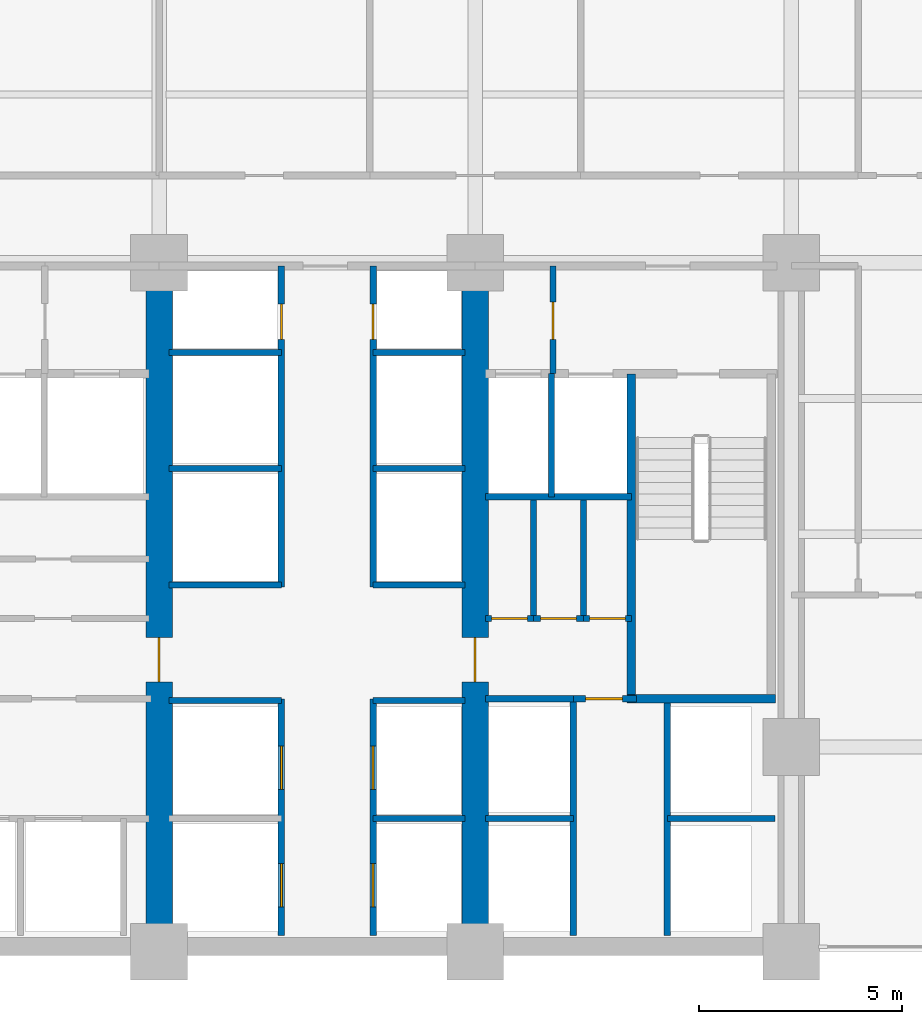
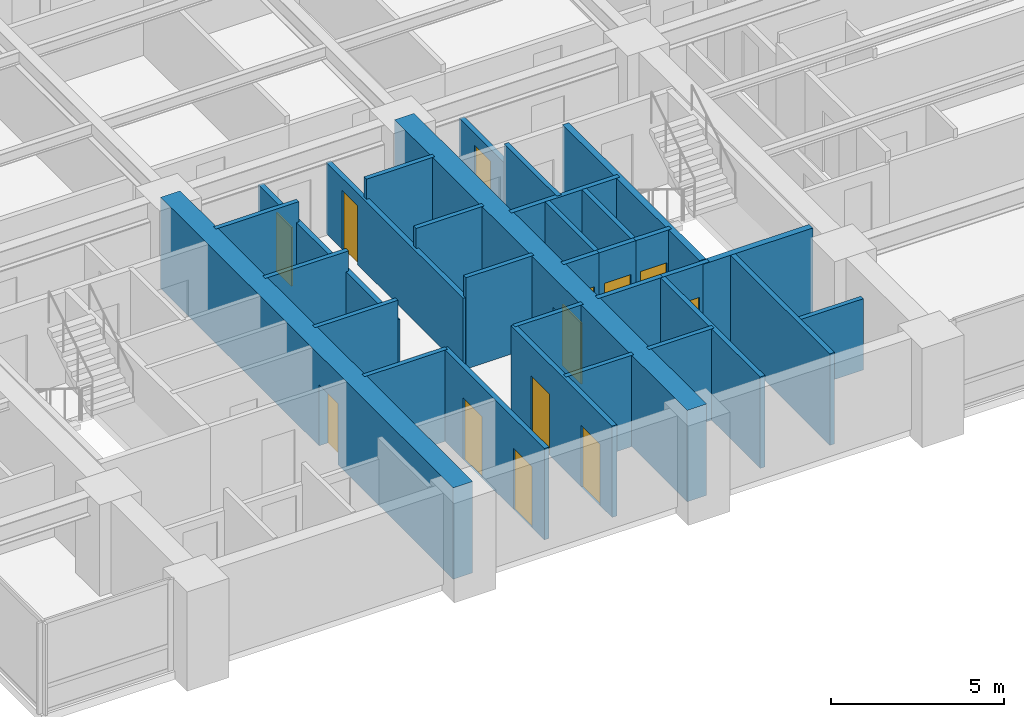
# One storey, part 8 of 18: 31 walls, 13 doors, 13 openings.
"""IFC4 building model written with IfcOpenShell, lengths in metres."""

from ifc_helpers import new_model, si_unit, direction, frame, frame_2d, origin, place, context, subcontext, project, spatial, rectangle, extrude, material, layer, layer_set, type_object, element, fill, save


model = new_model("IFC4")

# Units and contexts
model_context = context("Model", 3, precision=1e-05, world=origin(), true_north=direction((0.0, 1.0)))
body_context = subcontext(model_context, "Body", "Model", "MODEL_VIEW")
ifc_project = project(units=[si_unit("LENGTHUNIT", "METRE"), si_unit("AREAUNIT", "SQUARE_METRE"), si_unit("VOLUMEUNIT", "CUBIC_METRE"), si_unit("PLANEANGLEUNIT", "RADIAN"), si_unit("MASSUNIT", "GRAM", prefix="KILO")], contexts=[model_context])

# Site, building, storey
site_placement = place(None, origin())
site = spatial("IfcSite", under=ifc_project, at=site_placement, CompositionType="ELEMENT")
building_placement = place(site_placement, origin())
building = spatial("IfcBuilding", under=site, at=building_placement, Name="Qalmaran Belvedere Hotel", CompositionType="ELEMENT")
storey_placement = place(building_placement, frame((0.0, 0.0, 54.39990234375)))
storey = spatial("IfcBuildingStorey", under=building, at=storey_placement, Name="L13", CompositionType="ELEMENT", Elevation=54.39990234375)

# Wall, opening, door
ifc_material_1 = material(Name="Concrete C60/75", Category="concrete")
ifc_layer_1 = layer(ifc_material_1, 0.64990234375, Name="Concrete C60/75")
ifc_layer_set_1 = layer_set([ifc_layer_1], Name="Concrete C60/75")
wall_type_1 = type_object("IfcWallType", Name="WL-CORE-650-C60", PredefinedType="SHEAR", material=ifc_layer_set_1)
wall_1_placement = place(storey_placement, frame((29.199951171875, 3.5, 0.0), z_axis=(0.0, 0.0, 1.0), x_axis=(0.0, 1.0, 0.0)))
wall_1 = element("IfcWall", 1, at=wall_1_placement, inside=storey, type_object=wall_type_1, Name="L13 Core West Spine Shear Wall", PredefinedType="SHEAR", context=body_context, shape_type="SweptSolid", body=[
    extrude(rectangle(XDim=16.89990234375, YDim=0.64990234375, at=frame_2d((8.449951171875, 0.0))), origin(), (0.0, 0.0, 1.0), 3.22021484375),
])
opening_1_placement = place(wall_1_placement, frame((7.75, 0.0, 0.0), z_axis=(0.0, 0.0, 1.0), x_axis=(-1.0, 0.0, 0.0)))
opening_1 = element("IfcOpeningElement", 2, at=opening_1_placement, cuts=wall_1, Name="Opening FD90", PredefinedType="OPENING", context=body_context, shape_type="SweptSolid", body=[
    extrude(rectangle(XDim=1.10009765625, YDim=2.14990234375, at=frame_2d((0.550048828125, 1.074951171875))), frame((0.0, 0.3349609375, 0.0), z_axis=(0.0, -1.0, 0.0), x_axis=(1.0, 0.0, 0.0)), (0.0, 0.0, 1.0), 0.669921875),
])
ifc_material_2 = material(Name="Steel S355JR", Category="steel")
door_type_1 = type_object("IfcDoorType", Name="DR-FD90-1100X2150", OperationType="NOTDEFINED", PredefinedType="DOOR", material=ifc_material_2)
door_1_placement = place(opening_1_placement, origin())
door_1 = element("IfcDoor", 3, at=door_1_placement, inside=storey, type_object=door_type_1, Name="L13 Core West Cross-Lobby Door", OperationType="SINGLE_SWING_LEFT", OverallHeight=2.14990234375, OverallWidth=1.10009765625, PredefinedType="DOOR", context=body_context, shape_type="SweptSolid", body=[
    extrude(rectangle(XDim=1.10009765625, YDim=2.14990234375, at=frame_2d((0.550048828125, 1.074951171875))), frame((0.0, 0.02490234375, 0.0), z_axis=(0.0, -1.0, 0.0), x_axis=(1.0, 0.0, 0.0)), (0.0, 0.0, 1.0), 0.050048828125),
])
fill(opening_1, door_1)

wall_2_placement = place(storey_placement, frame((37.0, 3.5, 0.0), z_axis=(0.0, 0.0, 1.0), x_axis=(0.0, 1.0, 0.0)))
wall_2 = element("IfcWall", 4, at=wall_2_placement, inside=storey, type_object=wall_type_1, Name="L13 Core East Spine Shear Wall", PredefinedType="SHEAR", context=body_context, shape_type="SweptSolid", body=[
    extrude(rectangle(XDim=16.89990234375, YDim=0.64990234375, at=frame_2d((8.449951171875, 0.0))), origin(), (0.0, 0.0, 1.0), 3.22021484375),
])
opening_2_placement = place(wall_2_placement, frame((6.64990234375, 0.0, 0.0)))
opening_2 = element("IfcOpeningElement", 5, at=opening_2_placement, cuts=wall_2, Name="Opening FD90", PredefinedType="OPENING", context=body_context, shape_type="SweptSolid", body=[
    extrude(rectangle(XDim=1.10009765625, YDim=2.14990234375, at=frame_2d((0.550048828125, 1.074951171875))), frame((0.0, 0.3349609375, 0.0), z_axis=(0.0, -1.0, 0.0), x_axis=(1.0, 0.0, 0.0)), (0.0, 0.0, 1.0), 0.669921875),
])
door_2_placement = place(opening_2_placement, origin())
door_2 = element("IfcDoor", 6, at=door_2_placement, inside=storey, type_object=door_type_1, Name="L13 Core East Cross-Lobby Door", OperationType="SINGLE_SWING_RIGHT", OverallHeight=2.14990234375, OverallWidth=1.10009765625, PredefinedType="DOOR", context=body_context, shape_type="SweptSolid", body=[
    extrude(rectangle(XDim=1.10009765625, YDim=2.14990234375, at=frame_2d((0.550048828125, 1.074951171875))), frame((0.0, 0.02490234375, 0.0), z_axis=(0.0, -1.0, 0.0), x_axis=(1.0, 0.0, 0.0)), (0.0, 0.0, 1.0), 0.050048828125),
])
fill(opening_2, door_2)

# Walls
ifc_material_3 = material(Name="Gypsum Stud Partition")
ifc_layer_2 = layer(ifc_material_3, 0.14990234375, Name="Gypsum Stud Partition")
ifc_layer_set_2 = layer_set([ifc_layer_2], Name="Gypsum Stud Partition")
wall_type_2 = type_object("IfcWallType", Name="WL-INT-150-EI120", PredefinedType="PARTITIONING", material=ifc_layer_set_2)
wall_3_placement = place(storey_placement, frame((38.8798828125, 14.719970703125, 0.0), z_axis=(0.0, 0.0, 1.0), x_axis=(0.0, 1.0, 0.0)))
element("IfcWall", 7, at=wall_3_placement, inside=storey, type_object=wall_type_2, Name="L13 Partition WL-FF2M-L13", PredefinedType="PARTITIONING", context=body_context, shape_type="SweptSolid", body=[
    extrude(rectangle(XDim=3.0400390625, YDim=0.14990234375, at=frame_2d((1.52001953125, 0.0))), origin(), (0.0, 0.0, 1.0), 3.22021484375),
])
wall_4_placement = place(storey_placement, frame((37.25, 6.780029296875, 0.0), z_axis=(0.0, 0.0, 1.0), x_axis=(1.0, 0.0, 0.0)))
element("IfcWall", 8, at=wall_4_placement, inside=storey, type_object=wall_type_2, Name="L13 Partition WL-PHMW-L13", PredefinedType="PARTITIONING", context=body_context, shape_type="SweptSolid", body=[
    extrude(rectangle(XDim=2.169921875, YDim=0.14990234375, at=frame_2d((1.0849609375, 0.0))), origin(), (0.0, 0.0, 1.0), 3.22021484375),
])
wall_5_placement = place(storey_placement, frame((41.739990234375, 6.780029296875, 0.0), z_axis=(0.0, 0.0, 1.0), x_axis=(1.0, 0.0, 0.0)))
element("IfcWall", 9, at=wall_5_placement, inside=storey, type_object=wall_type_2, Name="L13 Partition WL-PHME-L13", PredefinedType="PARTITIONING", context=body_context, shape_type="SweptSolid", body=[
    extrude(rectangle(XDim=2.659912109375, YDim=0.14990234375, at=frame_2d((1.330078125, 0.0))), origin(), (0.0, 0.0, 1.0), 2.510009765625),
])
wall_6_placement = place(storey_placement, frame((34.47998046875, 6.780029296875, 0.0), z_axis=(0.0, 0.0, 1.0), x_axis=(1.0, 0.0, 0.0)))
element("IfcWall", 10, at=wall_6_placement, inside=storey, type_object=wall_type_2, Name="L13 Partition WL-PLE-L13-67", PredefinedType="PARTITIONING", context=body_context, shape_type="SweptSolid", body=[
    extrude(rectangle(XDim=2.27001953125, YDim=0.14990234375, at=frame_2d((1.135009765625, 0.0))), origin(), (0.0, 0.0, 1.0), 3.22021484375),
])
wall_7_placement = place(storey_placement, frame((29.449951171875, 9.699951171875, 0.0), z_axis=(0.0, 0.0, 1.0), x_axis=(1.0, 0.0, 0.0)))
element("IfcWall", 11, at=wall_7_placement, inside=storey, type_object=wall_type_2, Name="L13 Partition WL-PLW-L13-97", PredefinedType="PARTITIONING", context=body_context, shape_type="SweptSolid", body=[
    extrude(rectangle(XDim=2.77001953125, YDim=0.14990234375, at=frame_2d((1.385009765625, 0.0))), origin(), (0.0, 0.0, 1.0), 3.22021484375),
])
wall_8_placement = place(storey_placement, frame((34.47998046875, 9.699951171875, 0.0), z_axis=(0.0, 0.0, 1.0), x_axis=(1.0, 0.0, 0.0)))
element("IfcWall", 12, at=wall_8_placement, inside=storey, type_object=wall_type_2, Name="L13 Partition WL-PLE-L13-97", PredefinedType="PARTITIONING", context=body_context, shape_type="SweptSolid", body=[
    extrude(rectangle(XDim=2.27001953125, YDim=0.14990234375, at=frame_2d((1.135009765625, 0.0))), origin(), (0.0, 0.0, 1.0), 3.22021484375),
])
wall_9_placement = place(storey_placement, frame((29.449951171875, 12.550048828125, 0.0), z_axis=(0.0, 0.0, 1.0), x_axis=(1.0, 0.0, 0.0)))
element("IfcWall", 13, at=wall_9_placement, inside=storey, type_object=wall_type_2, Name="L13 Partition WL-PMW-L13-125", PredefinedType="PARTITIONING", context=body_context, shape_type="SweptSolid", body=[
    extrude(rectangle(XDim=2.77001953125, YDim=0.14990234375, at=frame_2d((1.385009765625, 0.0))), origin(), (0.0, 0.0, 1.0), 3.22021484375),
])
wall_10_placement = place(storey_placement, frame((34.47998046875, 12.550048828125, 0.0), z_axis=(0.0, 0.0, 1.0), x_axis=(1.0, 0.0, 0.0)))
element("IfcWall", 14, at=wall_10_placement, inside=storey, type_object=wall_type_2, Name="L13 Partition WL-PME-L13-125", PredefinedType="PARTITIONING", context=body_context, shape_type="SweptSolid", body=[
    extrude(rectangle(XDim=2.27001953125, YDim=0.14990234375, at=frame_2d((1.135009765625, 0.0))), origin(), (0.0, 0.0, 1.0), 3.22021484375),
])
wall_11_placement = place(storey_placement, frame((29.449951171875, 15.419921875, 0.0), z_axis=(0.0, 0.0, 1.0), x_axis=(1.0, 0.0, 0.0)))
element("IfcWall", 15, at=wall_11_placement, inside=storey, type_object=wall_type_2, Name="L13 Partition WL-PMW-L13-154", PredefinedType="PARTITIONING", context=body_context, shape_type="SweptSolid", body=[
    extrude(rectangle(XDim=2.77001953125, YDim=0.14990234375, at=frame_2d((1.385009765625, 0.0))), origin(), (0.0, 0.0, 1.0), 3.22021484375),
])
wall_12_placement = place(storey_placement, frame((34.47998046875, 15.419921875, 0.0), z_axis=(0.0, 0.0, 1.0), x_axis=(1.0, 0.0, 0.0)))
element("IfcWall", 16, at=wall_12_placement, inside=storey, type_object=wall_type_2, Name="L13 Partition WL-PME-L13-154", PredefinedType="PARTITIONING", context=body_context, shape_type="SweptSolid", body=[
    extrude(rectangle(XDim=2.27001953125, YDim=0.14990234375, at=frame_2d((1.135009765625, 0.0))), origin(), (0.0, 0.0, 1.0), 3.22021484375),
])
wall_13_placement = place(storey_placement, frame((29.449951171875, 18.280029296875, 0.0), z_axis=(0.0, 0.0, 1.0), x_axis=(1.0, 0.0, 0.0)))
element("IfcWall", 17, at=wall_13_placement, inside=storey, type_object=wall_type_2, Name="L13 Partition WL-PMW-L13-182", PredefinedType="PARTITIONING", context=body_context, shape_type="SweptSolid", body=[
    extrude(rectangle(XDim=2.77001953125, YDim=0.14990234375, at=frame_2d((1.385009765625, 0.0))), origin(), (0.0, 0.0, 1.0), 3.22021484375),
])
wall_14_placement = place(storey_placement, frame((34.47998046875, 18.280029296875, 0.0), z_axis=(0.0, 0.0, 1.0), x_axis=(1.0, 0.0, 0.0)))
element("IfcWall", 18, at=wall_14_placement, inside=storey, type_object=wall_type_2, Name="L13 Partition WL-PME-L13-182", PredefinedType="PARTITIONING", context=body_context, shape_type="SweptSolid", body=[
    extrude(rectangle(XDim=2.27001953125, YDim=0.14990234375, at=frame_2d((1.135009765625, 0.0))), origin(), (0.0, 0.0, 1.0), 3.22021484375),
])
ifc_layer_3 = layer(ifc_material_3, 0.14990234375, Name="Gypsum Stud Partition")
ifc_layer_set_3 = layer_set([ifc_layer_3], Name="Gypsum Stud Partition")
wall_type_3 = type_object("IfcWallType", Name="WL-INT-150-EI60", PredefinedType="PARTITIONING", material=ifc_layer_set_3)
for number, where, z_axis, x_axis, name in (
    (19, (38.44140625, 11.719970703125, 0.0), (0.0, 0.0, 1.0), (0.0, 1.0, 0.0), "L13 Partition WL-L13-KEV1"),
    (20, (39.668701171875, 11.719970703125, 0.0), (0.0, 0.0, 1.0), (0.0, 1.0, 0.0), "L13 Partition WL-L13-KEV2"),
):
    element("IfcWall", number, at=place(storey_placement, frame(where, z_axis=z_axis, x_axis=x_axis)), inside=storey, type_object=wall_type_3, Name=name, PredefinedType="PARTITIONING", context=body_context, shape_type="SweptSolid", body=[
        extrude(rectangle(XDim=2.929931640625, YDim=0.14990234375, at=frame_2d((1.46484375, 0.0))), origin(), (0.0, 0.0, 1.0), 3.22021484375),
    ])

# Wall, opening, door
ifc_layer_4 = layer(ifc_material_3, 0.159912109375, Name="Gypsum Stud Partition")
ifc_layer_set_4 = layer_set([ifc_layer_4], Name="Gypsum Stud Partition")
wall_type_4 = type_object("IfcWallType", Name="WL-INT-160-EI120", PredefinedType="PARTITIONING", material=ifc_layer_set_4)
wall_15_placement = place(storey_placement, frame((38.919921875, 17.760009765625, 0.0), z_axis=(0.0, 0.0, 1.0), x_axis=(0.0, 1.0, 0.0)))
wall_15 = element("IfcWall", 21, at=wall_15_placement, inside=storey, type_object=wall_type_4, Name="L13 Partition WL-FFSV2-L13", PredefinedType="PARTITIONING", context=body_context, shape_type="SweptSolid", body=[
    extrude(rectangle(XDim=2.659912109375, YDim=0.159912109375, at=frame_2d((1.330078125, 0.0))), origin(), (0.0, 0.0, 1.0), 2.510009765625),
])
opening_3_placement = place(wall_15_placement, frame((1.77001953125, 0.0, 0.0), z_axis=(0.0, 0.0, 1.0), x_axis=(-1.0, 0.0, 0.0)))
opening_3 = element("IfcOpeningElement", 22, at=opening_3_placement, cuts=wall_15, Name="Opening FD60S1", PredefinedType="OPENING", context=body_context, shape_type="SweptSolid", body=[
    extrude(rectangle(XDim=0.919921875, YDim=2.080078125, at=frame_2d((0.4599609375, 1.0400390625))), frame((0.0, 0.08984375, 0.0), z_axis=(0.0, -1.0, 0.0), x_axis=(1.0, 0.0, 0.0)), (0.0, 0.0, 1.0), 0.179931640625),
])
ifc_material_4 = material(Name="Engineered Oak Veneer")
door_type_2 = type_object("IfcDoorType", Name="DR-FD60S-920X2080", OperationType="NOTDEFINED", PredefinedType="DOOR", material=ifc_material_4)
door_3_placement = place(opening_3_placement, origin())
door_3 = element("IfcDoor", 23, at=door_3_placement, inside=storey, type_object=door_type_2, Name="L13 Service Lobby East Door", OperationType="SINGLE_SWING_RIGHT", OverallHeight=2.080078125, OverallWidth=0.919921875, PredefinedType="DOOR", context=body_context, shape_type="SweptSolid", body=[
    extrude(rectangle(XDim=0.919921875, YDim=2.080078125, at=frame_2d((0.4599609375, 1.0400390625))), frame((0.0, 0.02490234375, 0.0), z_axis=(0.0, -1.0, 0.0), x_axis=(1.0, 0.0, 0.0)), (0.0, 0.0, 1.0), 0.050048828125),
])
fill(opening_3, door_3)

# Walls
wall_16_placement = place(storey_placement, frame((37.25, 14.719970703125, 0.0), z_axis=(0.0, 0.0, 1.0), x_axis=(1.0, 0.0, 0.0)))
element("IfcWall", 24, at=wall_16_placement, inside=storey, type_object=wall_type_4, Name="L13 Partition WL-FF2S-L13", PredefinedType="PARTITIONING", context=body_context, shape_type="SweptSolid", body=[
    extrude(rectangle(XDim=3.610107421875, YDim=0.159912109375, at=frame_2d((1.80517578125, 0.0))), origin(), (0.0, 0.0, 1.0), 3.22021484375),
])
for number, where, z_axis, x_axis, name in (
    (25, (39.419921875, 3.89990234375, 0.0), (0.0, 0.0, 1.0), (0.0, 1.0, 0.0), "L13 Partition WL-PHW-L13"),
    (26, (41.739990234375, 3.89990234375, 0.0), (0.0, 0.0, 1.0), (0.0, 1.0, 0.0), "L13 Partition WL-PHE-L13"),
):
    element("IfcWall", number, at=place(storey_placement, frame(where, z_axis=z_axis, x_axis=x_axis)), inside=storey, type_object=wall_type_4, Name=name, PredefinedType="PARTITIONING", context=body_context, shape_type="SweptSolid", body=[
        extrude(rectangle(XDim=5.840087890625, YDim=0.159912109375, at=frame_2d((2.919921875, 0.0))), origin(), (0.0, 0.0, 1.0), 3.22021484375),
    ])
wall_17_placement = place(storey_placement, frame((37.25, 9.739990234375, 0.0), z_axis=(0.0, 0.0, 1.0), x_axis=(1.0, 0.0, 0.0)))
element("IfcWall", 27, at=wall_17_placement, inside=storey, type_object=wall_type_4, Name="L13 Partition WL-PHNW-L13", PredefinedType="PARTITIONING", context=body_context, shape_type="SweptSolid", body=[
    extrude(rectangle(XDim=2.169921875, YDim=0.159912109375, at=frame_2d((1.0849609375, 0.0))), origin(), (0.0, 0.0, 1.0), 3.22021484375),
])

# Wall, opening, door
wall_18_placement = place(storey_placement, frame((39.419921875, 9.739990234375, 0.0), z_axis=(0.0, 0.0, 1.0), x_axis=(1.0, 0.0, 0.0)))
wall_18 = element("IfcWall", 28, at=wall_18_placement, inside=storey, type_object=wall_type_4, Name="L13 Partition WL-PHNL-L13", PredefinedType="PARTITIONING", context=body_context, shape_type="SweptSolid", body=[
    extrude(rectangle(XDim=1.56005859375, YDim=0.159912109375, at=frame_2d((0.780029296875, 0.0))), origin(), (0.0, 0.0, 1.0), 3.22021484375),
])
opening_4_placement = place(wall_18_placement, frame((0.300048828125, 0.0, 0.0)))
opening_4 = element("IfcOpeningElement", 29, at=opening_4_placement, cuts=wall_18, Name="Opening FD60S1", PredefinedType="OPENING", context=body_context, shape_type="SweptSolid", body=[
    extrude(rectangle(XDim=0.919921875, YDim=2.080078125, at=frame_2d((0.4599609375, 1.0400390625))), frame((0.0, 0.08984375, 0.0), z_axis=(0.0, -1.0, 0.0), x_axis=(1.0, 0.0, 0.0)), (0.0, 0.0, 1.0), 0.179931640625),
])
door_4_placement = place(opening_4_placement, origin())
door_4 = element("IfcDoor", 30, at=door_4_placement, inside=storey, type_object=door_type_2, Name="L13 High-Rise Lift Lobby Passage Door", OperationType="SINGLE_SWING_RIGHT", OverallHeight=2.080078125, OverallWidth=0.919921875, PredefinedType="DOOR", context=body_context, shape_type="SweptSolid", body=[
    extrude(rectangle(XDim=0.919921875, YDim=2.080078125, at=frame_2d((0.4599609375, 1.0400390625))), frame((0.0, 0.02490234375, 0.0), z_axis=(0.0, -1.0, 0.0), x_axis=(1.0, 0.0, 0.0)), (0.0, 0.0, 1.0), 0.050048828125),
])
fill(opening_4, door_4)

# Wall, openings, doors
wall_19_placement = place(storey_placement, frame((32.219970703125, 3.89990234375, 0.0), z_axis=(0.0, 0.0, 1.0), x_axis=(0.0, 1.0, 0.0)))
wall_19 = element("IfcWall", 31, at=wall_19_placement, inside=storey, type_object=wall_type_4, Name="L13 Partition WL-CLBWS-L13", PredefinedType="PARTITIONING", context=body_context, shape_type="SweptSolid", body=[
    extrude(rectangle(XDim=5.840087890625, YDim=0.159912109375, at=frame_2d((2.919921875, 0.0))), origin(), (0.0, 0.0, 1.0), 3.22021484375),
])
opening_5_placement = place(wall_19_placement, frame((1.780029296875, 0.0, 0.0), z_axis=(0.0, 0.0, 1.0), x_axis=(-1.0, 0.0, 0.0)))
opening_5 = element("IfcOpeningElement", 32, at=opening_5_placement, cuts=wall_19, Name="Opening LD-P1", PredefinedType="OPENING", context=body_context, shape_type="SweptSolid", body=[
    extrude(rectangle(XDim=1.080078125, YDim=2.159912109375, at=frame_2d((0.5400390625, 1.080078125))), frame((0.0, 0.08984375, 0.0), z_axis=(0.0, -1.0, 0.0), x_axis=(1.0, 0.0, 0.0)), (0.0, 0.0, 1.0), 0.179931640625),
])
opening_6_placement = place(wall_19_placement, frame((4.68017578125, 0.0, 0.0), z_axis=(0.0, 0.0, 1.0), x_axis=(-1.0, 0.0, 0.0)))
opening_6 = element("IfcOpeningElement", 33, at=opening_6_placement, cuts=wall_19, Name="Opening LD-P1", PredefinedType="OPENING", context=body_context, shape_type="SweptSolid", body=[
    extrude(rectangle(XDim=1.080078125, YDim=2.159912109375, at=frame_2d((0.5400390625, 1.080078125))), frame((0.0, 0.08984375, 0.0), z_axis=(0.0, -1.0, 0.0), x_axis=(1.0, 0.0, 0.0)), (0.0, 0.0, 1.0), 0.179931640625),
])
ifc_material_5 = material(Name="Stainless Steel 1.4401", Category="steel")
door_type_3 = type_object("IfcDoorType", Name="DR-LIFT-P1-1080X2160", OperationType="DOUBLE_DOOR_SLIDING", PredefinedType="DOOR", material=ifc_material_5)
door_5_placement = place(opening_5_placement, origin())
door_5 = element("IfcDoor", 34, at=door_5_placement, inside=storey, type_object=door_type_3, Name="L13 PL1 Lift Landing Door", OperationType="DOUBLE_DOOR_SLIDING", OverallHeight=2.159912109375, OverallWidth=1.080078125, PredefinedType="DOOR", context=body_context, shape_type="SweptSolid", body=[
    extrude(rectangle(XDim=1.080078125, YDim=2.159912109375, at=frame_2d((0.5400390625, 1.080078125))), frame((0.0, 0.02490234375, 0.0), z_axis=(0.0, -1.0, 0.0), x_axis=(1.0, 0.0, 0.0)), (0.0, 0.0, 1.0), 0.050048828125),
])
fill(opening_5, door_5)
door_6_placement = place(opening_6_placement, origin())
door_6 = element("IfcDoor", 35, at=door_6_placement, inside=storey, type_object=door_type_3, Name="L13 PL2 Lift Landing Door", OperationType="DOUBLE_DOOR_SLIDING", OverallHeight=2.159912109375, OverallWidth=1.080078125, PredefinedType="DOOR", context=body_context, shape_type="SweptSolid", body=[
    extrude(rectangle(XDim=1.080078125, YDim=2.159912109375, at=frame_2d((0.5400390625, 1.080078125))), frame((0.0, 0.02490234375, 0.0), z_axis=(0.0, -1.0, 0.0), x_axis=(1.0, 0.0, 0.0)), (0.0, 0.0, 1.0), 0.050048828125),
])
fill(opening_6, door_6)

wall_20_placement = place(storey_placement, frame((34.47998046875, 3.89990234375, 0.0), z_axis=(0.0, 0.0, 1.0), x_axis=(0.0, 1.0, 0.0)))
wall_20 = element("IfcWall", 36, at=wall_20_placement, inside=storey, type_object=wall_type_4, Name="L13 Partition WL-CLBES-L13", PredefinedType="PARTITIONING", context=body_context, shape_type="SweptSolid", body=[
    extrude(rectangle(XDim=5.840087890625, YDim=0.159912109375, at=frame_2d((2.919921875, 0.0))), origin(), (0.0, 0.0, 1.0), 3.22021484375),
])
opening_7_placement = place(wall_20_placement, frame((0.699951171875, 0.0, 0.0)))
opening_7 = element("IfcOpeningElement", 37, at=opening_7_placement, cuts=wall_20, Name="Opening LD-P1", PredefinedType="OPENING", context=body_context, shape_type="SweptSolid", body=[
    extrude(rectangle(XDim=1.080078125, YDim=2.159912109375, at=frame_2d((0.5400390625, 1.080078125))), frame((0.0, 0.08984375, 0.0), z_axis=(0.0, -1.0, 0.0), x_axis=(1.0, 0.0, 0.0)), (0.0, 0.0, 1.0), 0.179931640625),
])
opening_8_placement = place(wall_20_placement, frame((3.60009765625, 0.0, 0.0)))
opening_8 = element("IfcOpeningElement", 38, at=opening_8_placement, cuts=wall_20, Name="Opening LD-P1", PredefinedType="OPENING", context=body_context, shape_type="SweptSolid", body=[
    extrude(rectangle(XDim=1.080078125, YDim=2.159912109375, at=frame_2d((0.5400390625, 1.080078125))), frame((0.0, 0.08984375, 0.0), z_axis=(0.0, -1.0, 0.0), x_axis=(1.0, 0.0, 0.0)), (0.0, 0.0, 1.0), 0.179931640625),
])
door_7_placement = place(opening_7_placement, origin())
door_7 = element("IfcDoor", 39, at=door_7_placement, inside=storey, type_object=door_type_3, Name="L13 PL3 Lift Landing Door", OperationType="DOUBLE_DOOR_SLIDING", OverallHeight=2.159912109375, OverallWidth=1.080078125, PredefinedType="DOOR", context=body_context, shape_type="SweptSolid", body=[
    extrude(rectangle(XDim=1.080078125, YDim=2.159912109375, at=frame_2d((0.5400390625, 1.080078125))), frame((0.0, 0.02490234375, 0.0), z_axis=(0.0, -1.0, 0.0), x_axis=(1.0, 0.0, 0.0)), (0.0, 0.0, 1.0), 0.050048828125),
])
fill(opening_7, door_7)
door_8_placement = place(opening_8_placement, origin())
door_8 = element("IfcDoor", 40, at=door_8_placement, inside=storey, type_object=door_type_3, Name="L13 PL4 Lift Landing Door", OperationType="DOUBLE_DOOR_SLIDING", OverallHeight=2.159912109375, OverallWidth=1.080078125, PredefinedType="DOOR", context=body_context, shape_type="SweptSolid", body=[
    extrude(rectangle(XDim=1.080078125, YDim=2.159912109375, at=frame_2d((0.5400390625, 1.080078125))), frame((0.0, 0.02490234375, 0.0), z_axis=(0.0, -1.0, 0.0), x_axis=(1.0, 0.0, 0.0)), (0.0, 0.0, 1.0), 0.050048828125),
])
fill(opening_8, door_8)

# Wall, opening, door
wall_21_placement = place(storey_placement, frame((32.219970703125, 12.5, 0.0), z_axis=(0.0, 0.0, 1.0), x_axis=(0.0, 1.0, 0.0)))
wall_21 = element("IfcWall", 41, at=wall_21_placement, inside=storey, type_object=wall_type_4, Name="L13 Partition WL-CLBWN-L13", PredefinedType="PARTITIONING", context=body_context, shape_type="SweptSolid", body=[
    extrude(rectangle(XDim=7.919921875, YDim=0.159912109375, at=frame_2d((3.9599609375, 0.0))), origin(), (0.0, 0.0, 1.0), 2.510009765625),
])
opening_9_placement = place(wall_21_placement, frame((6.10009765625, 0.0, 0.0)))
opening_9 = element("IfcOpeningElement", 42, at=opening_9_placement, cuts=wall_21, Name="Opening FD60B", PredefinedType="OPENING", context=body_context, shape_type="SweptSolid", body=[
    extrude(rectangle(XDim=0.8798828125, YDim=2.080078125, at=frame_2d((0.43994140625, 1.0400390625))), frame((0.0, 0.08984375, 0.0), z_axis=(0.0, -1.0, 0.0), x_axis=(1.0, 0.0, 0.0)), (0.0, 0.0, 1.0), 0.179931640625),
])
door_type_4 = type_object("IfcDoorType", Name="DR-FD60B-880X2080", OperationType="NOTDEFINED", PredefinedType="DOOR", material=ifc_material_2)
door_9_placement = place(opening_9_placement, origin())
door_9 = element("IfcDoor", 43, at=door_9_placement, inside=storey, type_object=door_type_4, Name="L13 West Riser Access Door", OperationType="SINGLE_SWING_LEFT", OverallHeight=2.080078125, OverallWidth=0.8798828125, PredefinedType="DOOR", context=body_context, shape_type="SweptSolid", body=[
    extrude(rectangle(XDim=0.8798828125, YDim=2.080078125, at=frame_2d((0.43994140625, 1.0400390625))), frame((0.0, 0.02490234375, 0.0), z_axis=(0.0, -1.0, 0.0), x_axis=(1.0, 0.0, 0.0)), (0.0, 0.0, 1.0), 0.050048828125),
])
fill(opening_9, door_9)

wall_22_placement = place(storey_placement, frame((34.47998046875, 12.5, 0.0), z_axis=(0.0, 0.0, 1.0), x_axis=(0.0, 1.0, 0.0)))
wall_22 = element("IfcWall", 44, at=wall_22_placement, inside=storey, type_object=wall_type_4, Name="L13 Partition WL-CLBEN-L13", PredefinedType="PARTITIONING", context=body_context, shape_type="SweptSolid", body=[
    extrude(rectangle(XDim=7.919921875, YDim=0.159912109375, at=frame_2d((3.9599609375, 0.0))), origin(), (0.0, 0.0, 1.0), 2.510009765625),
])
opening_10_placement = place(wall_22_placement, frame((6.97998046875, 0.0, 0.0), z_axis=(0.0, 0.0, 1.0), x_axis=(-1.0, 0.0, 0.0)))
opening_10 = element("IfcOpeningElement", 45, at=opening_10_placement, cuts=wall_22, Name="Opening FD60B", PredefinedType="OPENING", context=body_context, shape_type="SweptSolid", body=[
    extrude(rectangle(XDim=0.8798828125, YDim=2.080078125, at=frame_2d((0.43994140625, 1.0400390625))), frame((0.0, 0.08984375, 0.0), z_axis=(0.0, -1.0, 0.0), x_axis=(1.0, 0.0, 0.0)), (0.0, 0.0, 1.0), 0.179931640625),
])
door_10_placement = place(opening_10_placement, origin())
door_10 = element("IfcDoor", 46, at=door_10_placement, inside=storey, type_object=door_type_4, Name="L13 East Riser Access Door", OperationType="SINGLE_SWING_RIGHT", OverallHeight=2.080078125, OverallWidth=0.8798828125, PredefinedType="DOOR", context=body_context, shape_type="SweptSolid", body=[
    extrude(rectangle(XDim=0.8798828125, YDim=2.080078125, at=frame_2d((0.43994140625, 1.0400390625))), frame((0.0, 0.02490234375, 0.0), z_axis=(0.0, -1.0, 0.0), x_axis=(1.0, 0.0, 0.0)), (0.0, 0.0, 1.0), 0.050048828125),
])
fill(opening_10, door_10)

ifc_layer_5 = layer(ifc_material_3, 0.159912109375, Name="Gypsum Stud Partition")
ifc_layer_set_5 = layer_set([ifc_layer_5], Name="Gypsum Stud Partition")
wall_type_5 = type_object("IfcWallType", Name="WL-INT-160-EI60", PredefinedType="PARTITIONING", material=ifc_layer_set_5)
wall_23_placement = place(storey_placement, frame((37.25, 11.719970703125, 0.0), z_axis=(0.0, 0.0, 1.0), x_axis=(1.0, 0.0, 0.0)))
wall_23 = element("IfcWall", 47, at=wall_23_placement, inside=storey, type_object=wall_type_5, Name="L13 Partition WL-L13-KEE1", PredefinedType="PARTITIONING", context=body_context, shape_type="SweptSolid", body=[
    extrude(rectangle(XDim=1.19140625, YDim=0.159912109375, at=frame_2d((0.595703125, 0.0))), origin(), (0.0, 0.0, 1.0), 3.22021484375),
])
opening_11_placement = place(wall_23_placement, frame((0.155517578125, 0.0, 0.0)))
opening_11 = element("IfcOpeningElement", 48, at=opening_11_placement, cuts=wall_23, Name="Opening FD60B", PredefinedType="OPENING", context=body_context, shape_type="SweptSolid", body=[
    extrude(rectangle(XDim=0.8798828125, YDim=2.080078125, at=frame_2d((0.43994140625, 1.0400390625))), frame((0.0, 0.08984375, 0.0), z_axis=(0.0, -1.0, 0.0), x_axis=(1.0, 0.0, 0.0)), (0.0, 0.0, 1.0), 0.179931640625),
])
door_11_placement = place(opening_11_placement, origin())
door_11 = element("IfcDoor", 49, at=door_11_placement, inside=storey, type_object=door_type_4, Name="L13 Hotel Linen Closet Door", OperationType="SINGLE_SWING_RIGHT", OverallHeight=2.080078125, OverallWidth=0.8798828125, PredefinedType="DOOR", context=body_context, shape_type="SweptSolid", body=[
    extrude(rectangle(XDim=0.8798828125, YDim=2.080078125, at=frame_2d((0.43994140625, 1.0400390625))), frame((0.0, 0.02490234375, 0.0), z_axis=(0.0, -1.0, 0.0), x_axis=(1.0, 0.0, 0.0)), (0.0, 0.0, 1.0), 0.050048828125),
])
fill(opening_11, door_11)

wall_24_placement = place(storey_placement, frame((38.44140625, 11.719970703125, 0.0), z_axis=(0.0, 0.0, 1.0), x_axis=(1.0, 0.0, 0.0)))
wall_24 = element("IfcWall", 50, at=wall_24_placement, inside=storey, type_object=wall_type_5, Name="L13 Partition WL-L13-KEE2", PredefinedType="PARTITIONING", context=body_context, shape_type="SweptSolid", body=[
    extrude(rectangle(XDim=1.227294921875, YDim=0.159912109375, at=frame_2d((0.61376953125, 0.0))), origin(), (0.0, 0.0, 1.0), 3.22021484375),
])
opening_12_placement = place(wall_24_placement, frame((0.173583984375, 0.0, 0.0)))
opening_12 = element("IfcOpeningElement", 51, at=opening_12_placement, cuts=wall_24, Name="Opening FD60B", PredefinedType="OPENING", context=body_context, shape_type="SweptSolid", body=[
    extrude(rectangle(XDim=0.8798828125, YDim=2.080078125, at=frame_2d((0.43994140625, 1.0400390625))), frame((0.0, 0.08984375, 0.0), z_axis=(0.0, -1.0, 0.0), x_axis=(1.0, 0.0, 0.0)), (0.0, 0.0, 1.0), 0.179931640625),
])
door_12_placement = place(opening_12_placement, origin())
door_12 = element("IfcDoor", 52, at=door_12_placement, inside=storey, type_object=door_type_4, Name="L13 Guest Ice and Beverage Pantry Door", OperationType="SINGLE_SWING_LEFT", OverallHeight=2.080078125, OverallWidth=0.8798828125, PredefinedType="DOOR", context=body_context, shape_type="SweptSolid", body=[
    extrude(rectangle(XDim=0.8798828125, YDim=2.080078125, at=frame_2d((0.43994140625, 1.0400390625))), frame((0.0, 0.02490234375, 0.0), z_axis=(0.0, -1.0, 0.0), x_axis=(1.0, 0.0, 0.0)), (0.0, 0.0, 1.0), 0.050048828125),
])
fill(opening_12, door_12)

wall_25_placement = place(storey_placement, frame((39.668701171875, 11.719970703125, 0.0), z_axis=(0.0, 0.0, 1.0), x_axis=(1.0, 0.0, 0.0)))
wall_25 = element("IfcWall", 53, at=wall_25_placement, inside=storey, type_object=wall_type_5, Name="L13 Partition WL-L13-KEE3", PredefinedType="PARTITIONING", context=body_context, shape_type="SweptSolid", body=[
    extrude(rectangle(XDim=1.19140625, YDim=0.159912109375, at=frame_2d((0.595703125, 0.0))), origin(), (0.0, 0.0, 1.0), 3.22021484375),
])
opening_13_placement = place(wall_25_placement, frame((0.155517578125, 0.0, 0.0)))
opening_13 = element("IfcOpeningElement", 54, at=opening_13_placement, cuts=wall_25, Name="Opening FD60B", PredefinedType="OPENING", context=body_context, shape_type="SweptSolid", body=[
    extrude(rectangle(XDim=0.8798828125, YDim=2.080078125, at=frame_2d((0.43994140625, 1.0400390625))), frame((0.0, 0.08984375, 0.0), z_axis=(0.0, -1.0, 0.0), x_axis=(1.0, 0.0, 0.0)), (0.0, 0.0, 1.0), 0.179931640625),
])
door_13_placement = place(opening_13_placement, origin())
door_13 = element("IfcDoor", 55, at=door_13_placement, inside=storey, type_object=door_type_4, Name="L13 Cleaner Equipment Store Door", OperationType="SINGLE_SWING_RIGHT", OverallHeight=2.080078125, OverallWidth=0.8798828125, PredefinedType="DOOR", context=body_context, shape_type="SweptSolid", body=[
    extrude(rectangle(XDim=0.8798828125, YDim=2.080078125, at=frame_2d((0.43994140625, 1.0400390625))), frame((0.0, 0.02490234375, 0.0), z_axis=(0.0, -1.0, 0.0), x_axis=(1.0, 0.0, 0.0)), (0.0, 0.0, 1.0), 0.050048828125),
])
fill(opening_13, door_13)

# Walls
ifc_material_6 = material(Name="Concrete C50/60", Category="concrete")
ifc_layer_6 = layer(ifc_material_6, 0.2099609375, Name="Concrete C50/60")
ifc_layer_set_6 = layer_set([ifc_layer_6], Name="Concrete C50/60")
wall_type_6 = type_object("IfcWallType", Name="WL-STAIR-210-C50", PredefinedType="SHEAR", material=ifc_layer_set_6)
wall_26_placement = place(storey_placement, frame((40.85498046875, 9.7451171875, 0.0), z_axis=(0.0, 0.0, 1.0), x_axis=(0.0, 1.0, 0.0)))
element("IfcWall", 56, at=wall_26_placement, inside=storey, type_object=wall_type_6, Name="L13 Stair ST-2 West Bearing Wall", PredefinedType="SHEAR", context=body_context, shape_type="SweptSolid", body=[
    extrude(rectangle(XDim=8.009765625, YDim=0.2099609375, at=frame_2d((4.0048828125, 0.0))), origin(), (0.0, 0.0, 1.0), 3.22021484375),
])
wall_27_placement = place(storey_placement, frame((40.75, 9.7451171875, 0.0), z_axis=(0.0, 0.0, 1.0), x_axis=(1.0, 0.0, 0.0)))
element("IfcWall", 57, at=wall_27_placement, inside=storey, type_object=wall_type_6, Name="L13 Stair ST-2 South Bearing Wall", PredefinedType="SHEAR", context=body_context, shape_type="SweptSolid", body=[
    extrude(rectangle(XDim=3.659912109375, YDim=0.2099609375, at=frame_2d((1.830078125, 0.0))), origin(), (0.0, 0.0, 1.0), 3.22021484375),
])

save(model, "model.ifc")
